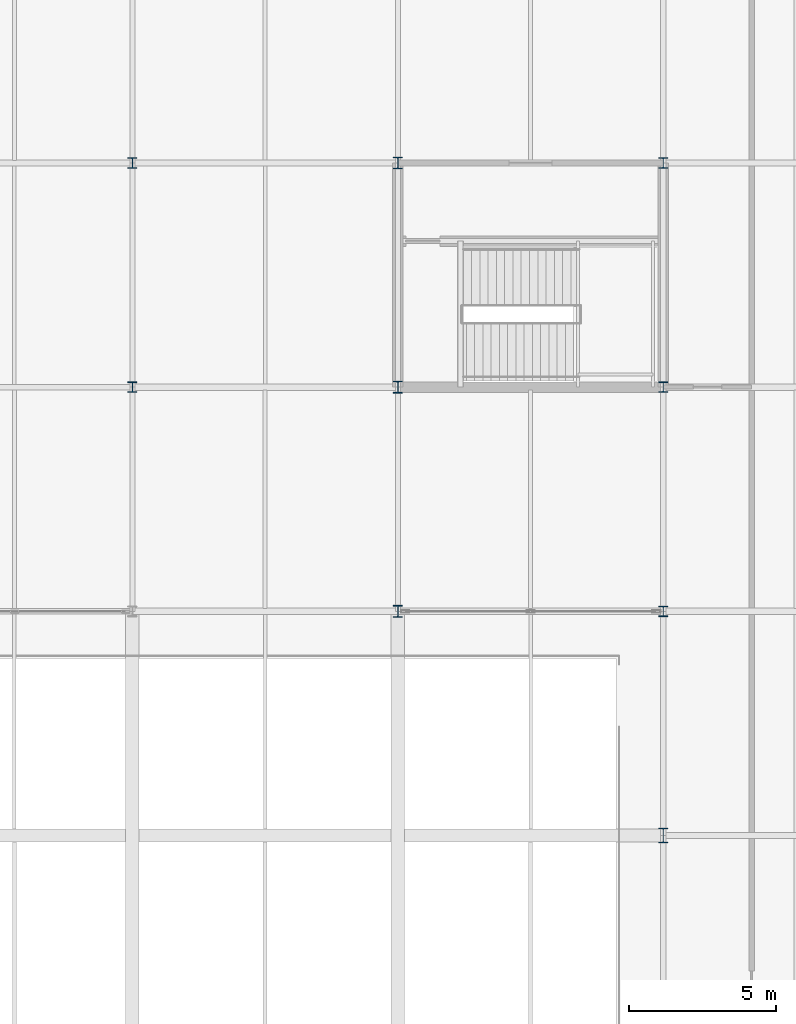
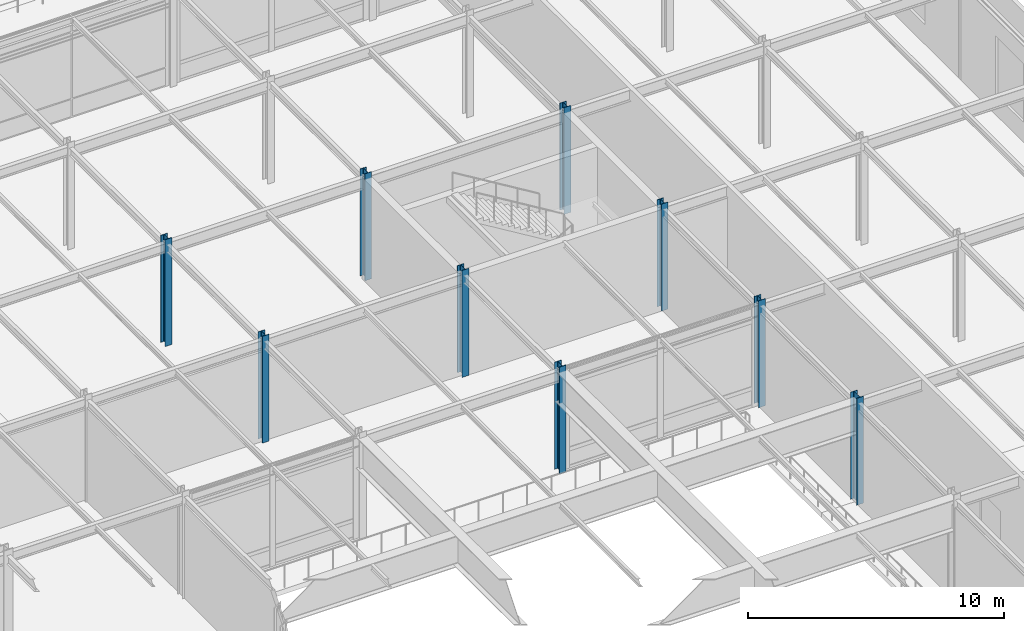
# One storey, part 8 of 79: 9 columns.
"""IFC4 building model written with IfcOpenShell, lengths in metres."""

import ifcopenshell
import ifcopenshell.guid

model = None  # the IFC model being written
_history = None  # IfcOwnerHistory: only IFC2X3 demands one
_inside = {}  # id of a spatial element -> (the spatial element, [elements in it])
_under = {}  # id of a project, library or spatial element -> (it, [spatial elements below it])
_declared = {}  # id of a project -> (the project, [libraries it declares])
_typed = {}  # id of a type object -> (the type object, [elements of that type])
_made_of = {}  # id of a material, layer set ... -> (it, [elements and type objects made of it])


def new_model(schema):
    """Start an empty IFC model of exactly this schema.

    Asked for "IFC4X3", IfcOpenShell would pick the latest addendum, in which some entities
    have other attributes; the version numbers below select the first issue.
    IFC2X3 requires an IfcOwnerHistory on every rooted entity: one is made here for all.
    """
    global model, _history
    if schema == "IFC4X3":
        model = ifcopenshell.file(schema_version=(4, 3, 0, 0))
    else:
        model = ifcopenshell.file(schema=schema)
    _inside.clear()
    _under.clear()
    _declared.clear()
    _typed.clear()
    _made_of.clear()
    _history = None
    if model.schema == "IFC2X3":
        org = make("IfcOrganization", Name="unknown")
        user = make(
            "IfcPersonAndOrganization",
            ThePerson=make("IfcPerson", FamilyName="unknown"),
            TheOrganization=org,
        )
        app = make(
            "IfcApplication",
            ApplicationDeveloper=org,
            Version="unknown",
            ApplicationFullName="unknown",
            ApplicationIdentifier="unknown",
        )
        _history = make(
            "IfcOwnerHistory",
            OwningUser=user,
            OwningApplication=app,
            ChangeAction="ADDED",
            CreationDate=0,
        )
    return model


def make(cls, **values):
    """One entity of the class cls with the attributes given. An attribute that is None is left unset."""
    return model.create_entity(
        cls, **{name: value for name, value in values.items() if value is not None}
    )


def rooted(cls, **values):
    """An entity with a GlobalId (a new one), such as an element, a storey or a relation."""
    return make(cls, GlobalId=ifcopenshell.guid.new(), OwnerHistory=_history, **values)


def si_unit(unit_type, name, prefix=None):
    """IfcSIUnit, for example si_unit("LENGTHUNIT", "METRE", prefix="MILLI")."""
    return make("IfcSIUnit", UnitType=unit_type, Prefix=prefix, Name=name)


def assignment(units):
    """IfcUnitAssignment: the units of a project."""
    return None if units is None else make("IfcUnitAssignment", Units=units)


def point(xyz):
    """IfcCartesianPoint."""
    return None if xyz is None else make("IfcCartesianPoint", Coordinates=xyz)


def direction(xyz):
    """IfcDirection."""
    return None if xyz is None else make("IfcDirection", DirectionRatios=xyz)


def frame(location, z_axis=None, x_axis=None):
    """IfcAxis2Placement3D, a coordinate frame: its origin and axes. An axis left out is left unset."""
    return make(
        "IfcAxis2Placement3D",
        Location=point(location),
        Axis=direction(z_axis),
        RefDirection=direction(x_axis),
    )


def frame_2d(location, x_axis=None):
    """IfcAxis2Placement2D, a coordinate frame in the plane: its origin and x axis."""
    return make(
        "IfcAxis2Placement2D", Location=point(location), RefDirection=direction(x_axis)
    )


def origin():
    """The frame at (0, 0, 0) with its axes left unset."""
    return frame((0.0, 0.0, 0.0))


def origin_2d():
    """The frame at (0, 0) in the plane with its x axis left unset."""
    return frame_2d((0.0, 0.0))


def place(relative_to, where):
    """IfcLocalPlacement: puts the frame where relative to a parent placement (None: the world)."""
    return make(
        "IfcLocalPlacement", PlacementRelTo=relative_to, RelativePlacement=where
    )


def context(
    kind, dimensions, precision=None, world=None, true_north=None, identifier=None
):
    """IfcGeometricRepresentationContext, for example the 3D "Model" context."""
    return make(
        "IfcGeometricRepresentationContext",
        ContextIdentifier=identifier,
        ContextType=kind,
        CoordinateSpaceDimension=dimensions,
        Precision=precision,
        WorldCoordinateSystem=world,
        TrueNorth=true_north,
    )


def subcontext(parent, identifier, kind, view, scale=None):
    """IfcGeometricRepresentationSubContext, for example "Body" below "Model"."""
    return make(
        "IfcGeometricRepresentationSubContext",
        ContextIdentifier=identifier,
        ContextType=kind,
        ParentContext=parent,
        TargetScale=scale,
        TargetView=view,
    )


def project(units=None, contexts=None):
    """IfcProject with its units and contexts."""
    return rooted(
        "IfcProject",
        Name="project",
        RepresentationContexts=contexts,
        UnitsInContext=assignment(units),
    )


def spatial(cls, under=None, at=None, **own):
    """A site, building, storey or space (cls), placed at a placement, below another one or the project."""
    s = rooted(cls, ObjectPlacement=at, **own)
    if under is not None:
        _under.setdefault(under.id(), (under, []))[1].append(s)
    return s


def profile(cls, at=None, kind="AREA", **sizes):
    """A parametric profile (cls). Its sizes go by their IFC names, for example OverallWidth=200.0."""
    return make(cls, ProfileType=kind, Position=at, **sizes)


def i_section(**sizes):
    """IfcIShapeProfileDef."""
    return profile("IfcIShapeProfileDef", **sizes)


def extrude(swept, where, along, depth):
    """IfcExtrudedAreaSolid: the profile swept, set in the frame where, extruded along a direction by depth."""
    return make(
        "IfcExtrudedAreaSolid",
        SweptArea=swept,
        Position=where,
        ExtrudedDirection=direction(along),
        Depth=depth,
    )


def shape(context_of_items, identifier, shape_type, items):
    """IfcShapeRepresentation: the items that make up one representation, for example the "Body"."""
    return make(
        "IfcShapeRepresentation",
        ContextOfItems=context_of_items,
        RepresentationIdentifier=identifier,
        RepresentationType=shape_type,
        Items=items,
    )


def material(Name=None, Category=None):
    """IfcMaterial."""
    return make("IfcMaterial", Name=Name, Category=Category)


def material_profile(
    of_material, cross_section, Name=None, Category=None, Priority=None
):
    """IfcMaterialProfile: a cross section and its material."""
    return make(
        "IfcMaterialProfile",
        Name=Name,
        Material=of_material,
        Profile=cross_section,
        Priority=Priority,
        Category=Category,
    )


def profile_set(profiles, Name=None, composite=None):
    """IfcMaterialProfileSet."""
    return make(
        "IfcMaterialProfileSet",
        Name=Name,
        MaterialProfiles=profiles,
        CompositeProfile=composite,
    )


def made_of(thing, what):
    """Note that an element or type object is made of a material, layer set ...; save() writes the relation."""
    if what is not None:
        _made_of.setdefault(what.id(), (what, []))[1].append(thing)
    return thing


def type_object(cls, material=None, **own):
    """A type object (cls), such as IfcWallType, which elements share."""
    return made_of(rooted(cls, **own), material)


def element(
    cls,
    number,
    at=None,
    inside=None,
    cuts=None,
    type_object=None,
    material=None,
    context=None,
    identifier="Body",
    shape_type=None,
    held_by="IfcProductDefinitionShape",
    body=None,
    shapes=None,
    **own,
):
    """One element of the class cls, such as IfcWall. Its Tag is "e" and its number.

    at: its placement. inside: the storey or other place that contains it. cuts: it is an
    opening in that element (IfcRelVoidsElement). A single representation is given by context,
    identifier, shape_type and body (its items); several are given by shapes. held_by: the class
    of the entity that holds the representations. save() writes the other relations.
    """
    e = rooted(cls, Tag="e%d" % number, ObjectPlacement=at, **own)
    if body is not None:
        shapes = [shape(context, identifier, shape_type, body)]
    if shapes is not None:
        e.Representation = make(held_by, Representations=shapes)
    if inside is not None:
        _inside.setdefault(inside.id(), (inside, []))[1].append(e)
    if cuts is not None:
        rooted(
            "IfcRelVoidsElement", RelatingBuildingElement=cuts, RelatedOpeningElement=e
        )
    if type_object is not None:
        _typed.setdefault(type_object.id(), (type_object, []))[1].append(e)
    return made_of(e, material)


def aggregate(whole, parts):
    """IfcRelAggregates: a whole, such as a stair, and the parts it consists of."""
    return rooted("IfcRelAggregates", RelatingObject=whole, RelatedObjects=parts)


def save(model, path):
    """Write the relations noted so far, then the file.

    IfcRelAggregates (storeys below a building ...), IfcRelContainedInSpatialStructure (elements
    in a storey), IfcRelDefinesByType, IfcRelAssociatesMaterial and IfcRelDeclares: one each for
    every whole, place, type object, material and project.
    """
    for whole, parts in _under.values():
        aggregate(whole, parts)
    for where, things in _inside.values():
        rooted(
            "IfcRelContainedInSpatialStructure",
            RelatedElements=things,
            RelatingStructure=where,
        )
    for kind, things in _typed.values():
        rooted("IfcRelDefinesByType", RelatedObjects=things, RelatingType=kind)
    for what, things in _made_of.values():
        rooted("IfcRelAssociatesMaterial", RelatedObjects=things, RelatingMaterial=what)
    for by, libraries in _declared.values():
        rooted("IfcRelDeclares", RelatingContext=by, RelatedDefinitions=libraries)
    model.write(path)


model = new_model("IFC4")

# Units and contexts
model_context = context("Model", 3, precision=1e-05, world=origin(), true_north=direction((0.0, 1.0)))
body_context = subcontext(model_context, "Body", "Model", "MODEL_VIEW")
ifc_project = project(units=[si_unit("LENGTHUNIT", "METRE"), si_unit("AREAUNIT", "SQUARE_METRE"), si_unit("VOLUMEUNIT", "CUBIC_METRE"), si_unit("PLANEANGLEUNIT", "RADIAN"), si_unit("MASSUNIT", "GRAM", prefix="KILO")], contexts=[model_context])

# Site, building, storey
site_placement = place(None, origin())
site = spatial("IfcSite", under=ifc_project, at=site_placement, CompositionType="ELEMENT")
building_placement = place(site_placement, origin())
building = spatial("IfcBuilding", under=site, at=building_placement, Name="Shalkamar Park Central Library", CompositionType="ELEMENT")
storey_placement = place(building_placement, frame((0.0, 0.0, 10.5)))
storey = spatial("IfcBuildingStorey", under=building, at=storey_placement, Name="L03", CompositionType="ELEMENT", Elevation=10.5)

# Columns
ifc_material = material(Name="Steel S355", Category="steel")
ifc_material_profile_1 = material_profile(ifc_material, i_section(OverallWidth=0.300048828125, OverallDepth=0.360107421875, WebThickness=0.012451171875, FlangeThickness=0.0224609375, FilletRadius=0.027099609375, at=origin_2d()), Name="HEB 360")
ifc_profile_set_1 = profile_set([ifc_material_profile_1], Name="Steel S355")
column_type_1 = type_object("IfcColumnType", Name="Column Steel HEB360", PredefinedType="COLUMN", material=ifc_profile_set_1)
for number, where, z_axis, x_axis, name in (
    (1, (237.0, 300.800048828125, 0.0), (0.0, 0.0, 1.0), (1.0, 0.0, 0.0), "Column 16/J (L03)"),
    (2, (237.0, 308.39990234375, 0.0), (0.0, 0.0, 1.0), (1.0, 0.0, 0.0), "Column 16/K (L03)"),
    (3, (255.0, 293.199951171875, 0.0), (0.0, 0.0, 1.0), (1.0, 0.0, 0.0), "Column 18/H (L03)"),
    (4, (255.0, 300.800048828125, 0.0), (0.0, 0.0, 1.0), (1.0, 0.0, 0.0), "Column 18/J (L03)"),
    (5, (255.0, 308.39990234375, 0.0), (0.0, 0.0, 1.0), (1.0, 0.0, 0.0), "Column 18/K (L03)"),
):
    element("IfcColumn", number, at=place(storey_placement, frame(where, z_axis=z_axis, x_axis=x_axis)), inside=storey, type_object=column_type_1, Name=name, PredefinedType="COLUMN", context=body_context, shape_type="SweptSolid", body=[
        extrude(i_section(OverallWidth=0.300048828125, OverallDepth=0.360107421875, WebThickness=0.012451171875, FlangeThickness=0.0224609375, FilletRadius=0.027099609375, at=origin_2d()), origin(), (0.0, 0.0, 1.0), 5.10009765625),
    ])
ifc_material_profile_2 = material_profile(ifc_material, i_section(OverallWidth=0.300048828125, OverallDepth=0.39990234375, WebThickness=0.013427734375, FlangeThickness=0.02392578125, FilletRadius=0.027099609375, at=origin_2d()), Name="HEB 400")
ifc_profile_set_2 = profile_set([ifc_material_profile_2], Name="Steel S355")
column_type_2 = type_object("IfcColumnType", Name="Column Steel HEB400", PredefinedType="COLUMN", material=ifc_profile_set_2)
for number, where, z_axis, x_axis, name in (
    (6, (246.0, 293.199951171875, 0.0), (0.0, 0.0, 1.0), (1.0, 0.0, 0.0), "Column 17/H (L03)"),
    (7, (246.0, 300.800048828125, 0.0), (0.0, 0.0, 1.0), (1.0, 0.0, 0.0), "Column 17/J (L03)"),
    (8, (246.0, 308.39990234375, 0.0), (0.0, 0.0, 1.0), (1.0, 0.0, 0.0), "Column 17/K (L03)"),
):
    element("IfcColumn", number, at=place(storey_placement, frame(where, z_axis=z_axis, x_axis=x_axis)), inside=storey, type_object=column_type_2, Name=name, PredefinedType="COLUMN", context=body_context, shape_type="SweptSolid", body=[
        extrude(i_section(OverallWidth=0.300048828125, OverallDepth=0.39990234375, WebThickness=0.013427734375, FlangeThickness=0.02392578125, FilletRadius=0.027099609375, at=origin_2d()), origin(), (0.0, 0.0, 1.0), 5.10009765625),
    ])
ifc_material_profile_3 = material_profile(ifc_material, i_section(OverallWidth=0.300048828125, OverallDepth=0.5, WebThickness=0.014404296875, FlangeThickness=0.028076171875, FilletRadius=0.027099609375, at=origin_2d()), Name="HEB 500")
ifc_profile_set_3 = profile_set([ifc_material_profile_3], Name="Steel S355")
column_type_3 = type_object("IfcColumnType", Name="Column Steel HEB500", PredefinedType="COLUMN", material=ifc_profile_set_3)
column_placement = place(storey_placement, frame((255.0, 285.60009765625, 0.0), z_axis=(0.0, 0.0, 1.0), x_axis=(1.0, 0.0, 0.0)))
element("IfcColumn", 9, at=column_placement, inside=storey, type_object=column_type_3, Name="Column 18/G (L03)", PredefinedType="COLUMN", context=body_context, shape_type="SweptSolid", body=[
    extrude(i_section(OverallWidth=0.300048828125, OverallDepth=0.5, WebThickness=0.014404296875, FlangeThickness=0.028076171875, FilletRadius=0.027099609375, at=origin_2d()), origin(), (0.0, 0.0, 1.0), 5.10009765625),
])

save(model, "model.ifc")
